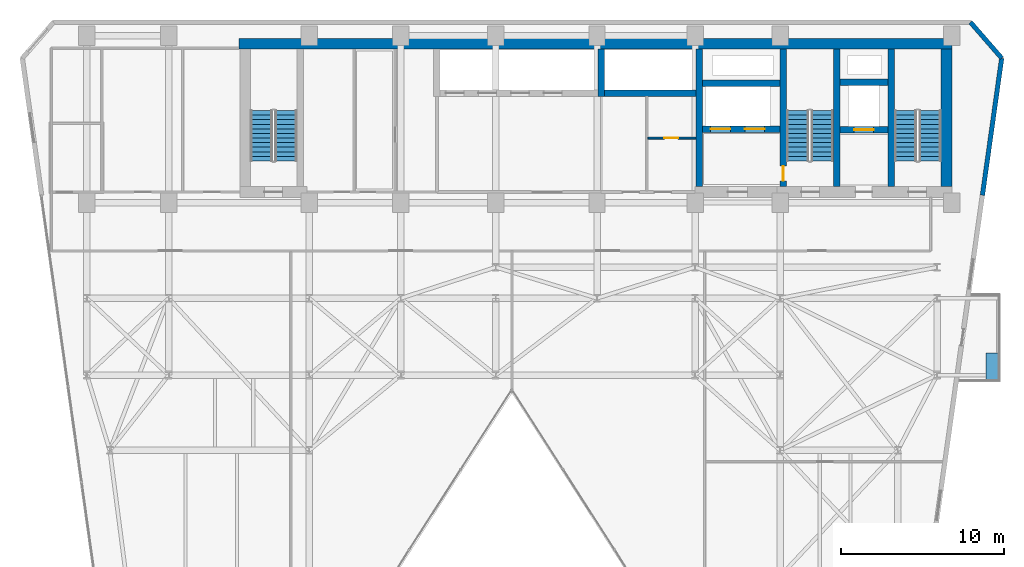
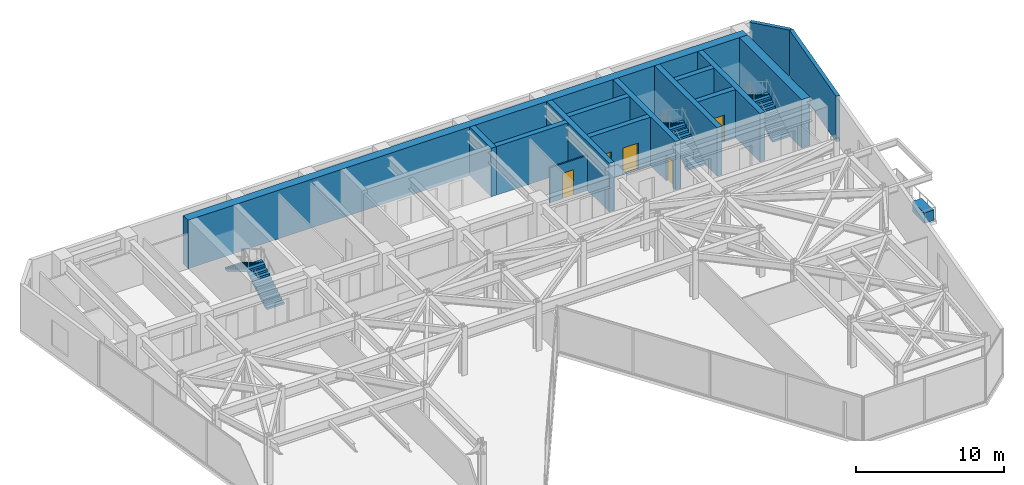
# One storey, part 23 of 26: 15 walls, 6 stair flights, 5 doors, 1 discrete accessory, 5 openings, 3 elements without a shape of their own.
"""IFC4 building model written with IfcOpenShell, lengths in metres."""

from ifc_helpers import new_model, si_unit, direction, frame, frame_2d, origin, origin_2d, place, context, subcontext, project, spatial, polyline, rectangle, outline, extrude, material, layer, layer_set, type_object, element, fill, aggregate, save


model = new_model("IFC4")

# Units and contexts
model_context = context("Model", 3, precision=1e-05, world=origin(), true_north=direction((0.0, 1.0)))
body_context = subcontext(model_context, "Body", "Model", "MODEL_VIEW")
ifc_project = project(units=[si_unit("LENGTHUNIT", "METRE"), si_unit("AREAUNIT", "SQUARE_METRE"), si_unit("VOLUMEUNIT", "CUBIC_METRE"), si_unit("PLANEANGLEUNIT", "RADIAN"), si_unit("MASSUNIT", "GRAM", prefix="KILO")], contexts=[model_context])

# Site, building, storey
site_placement = place(None, origin())
site = spatial("IfcSite", under=ifc_project, at=site_placement, CompositionType="ELEMENT")
building_placement = place(site_placement, origin())
building = spatial("IfcBuilding", under=site, at=building_placement, Name="Kravanh Interchange Tower", CompositionType="ELEMENT")
storey_placement = place(building_placement, frame((0.0, 0.0, 120.0)))
storey = spatial("IfcBuildingStorey", under=building, at=storey_placement, Name="L28", CompositionType="ELEMENT", Elevation=120.0)

# Wall, opening, door
ifc_material_1 = material(Name="Double Acoustic Gypsum Board and Mineral Wool")
ifc_layer_1 = layer(ifc_material_1, 0.1201171875)
ifc_layer_set_1 = layer_set([ifc_layer_1], Name="Acoustic Office Drywall Partition 120mm")
wall_type_1 = type_object("IfcWallType", Name="Acoustic Office Drywall Partition 120mm", PredefinedType="PARTITIONING", material=ifc_layer_set_1)
wall_1_placement = place(storey_placement, frame((47.91796875, 41.300048828125, 0.0), z_axis=(0.0, 0.0, 1.0), x_axis=(1.0, 0.0, 0.0)))
wall_1 = element("IfcWall", 1, at=wall_1_placement, inside=storey, type_object=wall_type_1, Name="L28 Interior Partition 3", PredefinedType="PARTITIONING", context=body_context, shape_type="SweptSolid", body=[
    extrude(rectangle(XDim=2.924072265625, YDim=0.1201171875, at=frame_2d((1.4619140625, 0.0))), origin(), (0.0, 0.0, 1.0), 2.89404296875),
])
opening_1_placement = place(wall_1_placement, frame((0.9912109375, 0.0, 0.0)))
opening_1 = element("IfcOpeningElement", 2, at=opening_1_placement, cuts=wall_1, Name="Opening D-85", PredefinedType="OPENING", context=body_context, shape_type="SweptSolid", body=[
    extrude(rectangle(XDim=0.85009765625, YDim=2.10009765625, at=frame_2d((0.425048828125, 1.050048828125))), frame((0.0, 0.070068359375, 0.0), z_axis=(0.0, -1.0, 0.0), x_axis=(1.0, 0.0, 0.0)), (0.0, 0.0, 1.0), 0.14013671875),
])
ifc_material_2 = material(Name="Engineered Teak Veneer Timber", Category="wood")
door_type_1 = type_object("IfcDoorType", Name="En-Suite Timber Door 850x2100", OperationType="NOTDEFINED", PredefinedType="DOOR", material=ifc_material_2)
door_1_placement = place(opening_1_placement, origin())
door_1 = element("IfcDoor", 3, at=door_1_placement, inside=storey, type_object=door_type_1, Name="L28 Core Supply Inner Door", OperationType="SINGLE_SWING_RIGHT", OverallHeight=2.10009765625, OverallWidth=0.85009765625, PredefinedType="DOOR", context=body_context, shape_type="SweptSolid", body=[
    extrude(rectangle(XDim=0.85009765625, YDim=2.10009765625, at=frame_2d((0.425048828125, 1.050048828125))), frame((0.0, 0.02490234375, 0.0), z_axis=(0.0, -1.0, 0.0), x_axis=(1.0, 0.0, 0.0)), (0.0, 0.0, 1.0), 0.050048828125),
])
fill(opening_1, door_1)

# Walls
ifc_material_3 = material(Name="Concrete C70/85", Category="concrete")
ifc_layer_2 = layer(ifc_material_3, 0.64990234375)
ifc_layer_set_2 = layer_set([ifc_layer_2], Name="Core Shear Wall Concrete C70/85 650mm")
wall_type_2 = type_object("IfcWallType", Name="Core Shear Wall Concrete C70/85 650mm", PredefinedType="SHEAR", material=ifc_layer_set_2)
wall_2_placement = place(storey_placement, frame((22.89990234375, 47.074951171875, 0.0), z_axis=(0.0, 0.0, 1.0), x_axis=(1.0, 0.0, 0.0)))
element("IfcWall", 4, at=wall_2_placement, inside=storey, type_object=wall_type_2, Name="L28 North Core Shear Wall", PredefinedType="SHEAR", context=body_context, shape_type="SweptSolid", body=[
    extrude(rectangle(XDim=43.60009765625, YDim=0.64990234375, at=frame_2d((21.800048828125, 0.0))), origin(), (0.0, 0.0, 1.0), 4.0),
])
wall_3_placement = place(storey_placement, frame((66.175048828125, 38.324951171875, 0.0), z_axis=(0.0, 0.0, 1.0), x_axis=(0.0, 1.0, 0.0)))
element("IfcWall", 5, at=wall_3_placement, inside=storey, type_object=wall_type_2, Name="L28 Stair ST1 East Shear Wall", PredefinedType="SHEAR", context=body_context, shape_type="SweptSolid", body=[
    extrude(rectangle(XDim=8.425048828125, YDim=0.64990234375, at=frame_2d((4.21240234375, 0.0))), origin(), (0.0, 0.0, 1.0), 4.0),
])
ifc_material_4 = material(Name="Concrete C80/95", Category="concrete")
ifc_layer_3 = layer(ifc_material_4, 0.39990234375)
ifc_layer_set_3 = layer_set([ifc_layer_3], Name="Core Shear Wall Concrete C80/95 400mm")
wall_type_3 = type_object("IfcWallType", Name="Core Shear Wall Concrete C80/95 400mm", PredefinedType="SHEAR", material=ifc_layer_set_3)
for number, where, z_axis, x_axis, name in (
    (6, (62.800048828125, 38.324951171875, 0.0), (0.0, 0.0, 1.0), (0.0, 1.0, 0.0), "L28 Stair ST1 West Shear Wall"),
    (7, (59.449951171875, 38.324951171875, 0.0), (0.0, 0.0, 1.0), (0.0, 1.0, 0.0), "L28 Stair ST2 East Shear Wall"),
):
    element("IfcWall", number, at=place(storey_placement, frame(where, z_axis=z_axis, x_axis=x_axis)), inside=storey, type_object=wall_type_3, Name=name, PredefinedType="SHEAR", context=body_context, shape_type="SweptSolid", body=[
        extrude(rectangle(XDim=8.425048828125, YDim=0.39990234375, at=frame_2d((4.21240234375, 0.0))), origin(), (0.0, 0.0, 1.0), 4.0),
    ])

# Wall, opening, door
wall_4_placement = place(storey_placement, frame((56.199951171875, 38.324951171875, 0.0), z_axis=(0.0, 0.0, 1.0), x_axis=(0.0, 1.0, 0.0)))
wall_4 = element("IfcWall", 8, at=wall_4_placement, inside=storey, type_object=wall_type_3, Name="L28 Stair ST2 West Shear Wall", PredefinedType="SHEAR", context=body_context, shape_type="SweptSolid", body=[
    extrude(rectangle(XDim=8.425048828125, YDim=0.39990234375, at=frame_2d((4.21240234375, 0.0))), origin(), (0.0, 0.0, 1.0), 4.0),
])
opening_2_placement = place(wall_4_placement, frame((0.35498046875, 0.0, 0.0)))
opening_2 = element("IfcOpeningElement", 9, at=opening_2_placement, cuts=wall_4, Name="Opening D-STAIR-90", PredefinedType="OPENING", context=body_context, shape_type="SweptSolid", body=[
    extrude(rectangle(XDim=0.89990234375, YDim=2.14990234375, at=frame_2d((0.449951171875, 1.074951171875))), frame((0.0, 0.2099609375, 0.0), z_axis=(0.0, -1.0, 0.0), x_axis=(1.0, 0.0, 0.0)), (0.0, 0.0, 1.0), 0.419921875),
])
ifc_material_5 = material(Name="Structural Steel S355", Category="steel")
door_type_2 = type_object("IfcDoorType", Name="Fire-Rated Stair Lobby Door 900x2150", OperationType="NOTDEFINED", PredefinedType="DOOR", material=ifc_material_5)
door_2_placement = place(opening_2_placement, origin())
door_2 = element("IfcDoor", 10, at=door_2_placement, inside=storey, type_object=door_type_2, Name="L28 Firefighting Lobby to Stair ST2 Door", OperationType="SINGLE_SWING_LEFT", OverallHeight=2.14990234375, OverallWidth=0.89990234375, PredefinedType="DOOR", context=body_context, shape_type="SweptSolid", body=[
    extrude(rectangle(XDim=0.89990234375, YDim=2.14990234375, at=frame_2d((0.449951171875, 1.074951171875))), frame((0.0, 0.02490234375, 0.0), z_axis=(0.0, -1.0, 0.0), x_axis=(1.0, 0.0, 0.0)), (0.0, 0.0, 1.0), 0.050048828125),
])
fill(opening_2, door_2)

wall_5_placement = place(storey_placement, frame((59.64990234375, 41.800048828125, 0.0), z_axis=(0.0, 0.0, 1.0), x_axis=(1.0, 0.0, 0.0)))
wall_5 = element("IfcWall", 11, at=wall_5_placement, inside=storey, type_object=wall_type_3, Name="L28 Service Lift Shaft South Wall", PredefinedType="SHEAR", context=body_context, shape_type="SweptSolid", body=[
    extrude(rectangle(XDim=2.9501953125, YDim=0.39990234375, at=frame_2d((1.47509765625, 0.0))), origin(), (0.0, 0.0, 1.0), 4.0),
])
opening_3_placement = place(wall_5_placement, frame((0.8701171875, 0.0, 0.0)))
opening_3 = element("IfcOpeningElement", 12, at=opening_3_placement, cuts=wall_5, Name="Opening LD02", PredefinedType="OPENING", context=body_context, shape_type="SweptSolid", body=[
    extrude(rectangle(XDim=1.199951171875, YDim=2.199951171875, at=frame_2d((0.60009765625, 1.10009765625))), frame((0.0, 0.2099609375, 0.0), z_axis=(0.0, -1.0, 0.0), x_axis=(1.0, 0.0, 0.0)), (0.0, 0.0, 1.0), 0.419921875),
])
ifc_material_6 = material(Name="Stainless Steel 316", Category="steel")
door_type_3 = type_object("IfcDoorType", Name="Fire and Service Lift Sliding Landing Door 1200x2200", OperationType="DOUBLE_DOOR_SLIDING", PredefinedType="DOOR", material=ifc_material_6)
door_3_placement = place(opening_3_placement, origin())
door_3 = element("IfcDoor", 13, at=door_3_placement, inside=storey, type_object=door_type_3, Name="L28 Lift LS-01 Landing Door", OperationType="DOUBLE_DOOR_SLIDING", OverallHeight=2.199951171875, OverallWidth=1.199951171875, PredefinedType="DOOR", context=body_context, shape_type="SweptSolid", body=[
    extrude(rectangle(XDim=1.199951171875, YDim=2.199951171875, at=frame_2d((0.60009765625, 1.10009765625))), frame((0.0, 0.02490234375, 0.0), z_axis=(0.0, -1.0, 0.0), x_axis=(1.0, 0.0, 0.0)), (0.0, 0.0, 1.0), 0.050048828125),
])
fill(opening_3, door_3)

# Wall
wall_6_placement = place(storey_placement, frame((59.64990234375, 44.699951171875, 0.0), z_axis=(0.0, 0.0, 1.0), x_axis=(1.0, 0.0, 0.0)))
element("IfcWall", 14, at=wall_6_placement, inside=storey, type_object=wall_type_3, Name="L28 Service Lift Shaft North Wall", PredefinedType="SHEAR", context=body_context, shape_type="SweptSolid", body=[
    extrude(rectangle(XDim=2.9501953125, YDim=0.39990234375, at=frame_2d((1.47509765625, 0.0))), origin(), (0.0, 0.0, 1.0), 4.0),
])

# Wall, openings, doors
wall_7_placement = place(storey_placement, frame((51.25, 41.85009765625, 0.0), z_axis=(0.0, 0.0, 1.0), x_axis=(1.0, 0.0, 0.0)))
wall_7 = element("IfcWall", 15, at=wall_7_placement, inside=storey, type_object=wall_type_3, Name="L28 Fire Lift Shaft South Wall", PredefinedType="SHEAR", context=body_context, shape_type="SweptSolid", body=[
    extrude(rectangle(XDim=4.75, YDim=0.39990234375, at=frame_2d((2.375, 0.0))), origin(), (0.0, 0.0, 1.0), 4.0),
])
opening_4_placement = place(wall_7_placement, frame((0.5, 0.0, 0.0)))
opening_4 = element("IfcOpeningElement", 16, at=opening_4_placement, cuts=wall_7, Name="Opening LD02", PredefinedType="OPENING", context=body_context, shape_type="SweptSolid", body=[
    extrude(rectangle(XDim=1.199951171875, YDim=2.199951171875, at=frame_2d((0.60009765625, 1.10009765625))), frame((0.0, 0.2099609375, 0.0), z_axis=(0.0, -1.0, 0.0), x_axis=(1.0, 0.0, 0.0)), (0.0, 0.0, 1.0), 0.419921875),
])
opening_5_placement = place(wall_7_placement, frame((2.60009765625, 0.0, 0.0)))
opening_5 = element("IfcOpeningElement", 17, at=opening_5_placement, cuts=wall_7, Name="Opening LD02", PredefinedType="OPENING", context=body_context, shape_type="SweptSolid", body=[
    extrude(rectangle(XDim=1.199951171875, YDim=2.199951171875, at=frame_2d((0.60009765625, 1.10009765625))), frame((0.0, 0.2099609375, 0.0), z_axis=(0.0, -1.0, 0.0), x_axis=(1.0, 0.0, 0.0)), (0.0, 0.0, 1.0), 0.419921875),
])
door_4_placement = place(opening_4_placement, origin())
door_4 = element("IfcDoor", 18, at=door_4_placement, inside=storey, type_object=door_type_3, Name="L28 Lift FSAE-01 Landing Door", OperationType="DOUBLE_DOOR_SLIDING", OverallHeight=2.199951171875, OverallWidth=1.199951171875, PredefinedType="DOOR", context=body_context, shape_type="SweptSolid", body=[
    extrude(rectangle(XDim=1.199951171875, YDim=2.199951171875, at=frame_2d((0.60009765625, 1.10009765625))), frame((0.0, 0.02490234375, 0.0), z_axis=(0.0, -1.0, 0.0), x_axis=(1.0, 0.0, 0.0)), (0.0, 0.0, 1.0), 0.050048828125),
])
fill(opening_4, door_4)
door_5_placement = place(opening_5_placement, origin())
door_5 = element("IfcDoor", 19, at=door_5_placement, inside=storey, type_object=door_type_3, Name="L28 Lift FSAE-02 Landing Door", OperationType="DOUBLE_DOOR_SLIDING", OverallHeight=2.199951171875, OverallWidth=1.199951171875, PredefinedType="DOOR", context=body_context, shape_type="SweptSolid", body=[
    extrude(rectangle(XDim=1.199951171875, YDim=2.199951171875, at=frame_2d((0.60009765625, 1.10009765625))), frame((0.0, 0.02490234375, 0.0), z_axis=(0.0, -1.0, 0.0), x_axis=(1.0, 0.0, 0.0)), (0.0, 0.0, 1.0), 0.050048828125),
])
fill(opening_5, door_5)

# Walls
wall_8_placement = place(storey_placement, frame((51.25, 44.64990234375, 0.0), z_axis=(0.0, 0.0, 1.0), x_axis=(1.0, 0.0, 0.0)))
element("IfcWall", 20, at=wall_8_placement, inside=storey, type_object=wall_type_3, Name="L28 Fire Lift Shaft North Wall", PredefinedType="SHEAR", context=body_context, shape_type="SweptSolid", body=[
    extrude(rectangle(XDim=4.75, YDim=0.39990234375, at=frame_2d((2.375, 0.0))), origin(), (0.0, 0.0, 1.0), 4.0),
])
wall_9_placement = place(storey_placement, frame((51.050048828125, 38.324951171875, 0.0), z_axis=(0.0, 0.0, 1.0), x_axis=(0.0, 1.0, 0.0)))
element("IfcWall", 21, at=wall_9_placement, inside=storey, type_object=wall_type_3, Name="L28 Firefighting Lobby West Wall", PredefinedType="SHEAR", context=body_context, shape_type="SweptSolid", body=[
    extrude(rectangle(XDim=8.425048828125, YDim=0.39990234375, at=frame_2d((4.21240234375, 0.0))), origin(), (0.0, 0.0, 1.0), 4.0),
])
wall_10_placement = place(storey_placement, frame((45.25, 44.050048828125, 0.0), z_axis=(0.0, 0.0, 1.0), x_axis=(1.0, 0.0, 0.0)))
element("IfcWall", 22, at=wall_10_placement, inside=storey, type_object=wall_type_3, Name="L28 High-Rise Lift Shaft South Wall", PredefinedType="SHEAR", context=body_context, shape_type="SweptSolid", body=[
    extrude(rectangle(XDim=5.60009765625, YDim=0.39990234375, at=frame_2d((2.800048828125, 0.0))), origin(), (0.0, 0.0, 1.0), 4.0),
])
wall_11_placement = place(storey_placement, frame((45.050048828125, 43.85009765625, 0.0), z_axis=(0.0, 0.0, 1.0), x_axis=(0.0, 1.0, 0.0)))
element("IfcWall", 23, at=wall_11_placement, inside=storey, type_object=wall_type_3, Name="L28 High-Rise Lift Shaft West Wall", PredefinedType="SHEAR", context=body_context, shape_type="SweptSolid", body=[
    extrude(rectangle(XDim=2.89990234375, YDim=0.39990234375, at=frame_2d((1.449951171875, 0.0))), origin(), (0.0, 0.0, 1.0), 4.0),
])
ifc_material_7 = material(Name="Insulated Precast Concrete C40/50 with Bronze Cladding", Category="concrete")
ifc_layer_4 = layer(ifc_material_7, 0.280029296875)
ifc_layer_set_4 = layer_set([ifc_layer_4], Name="Exterior Insulated Concrete C40/50 Bronze Spandrel Wall 280mm")
wall_type_4 = type_object("IfcWallType", Name="Exterior Insulated Concrete C40/50 Bronze Spandrel Wall 280mm", PredefinedType="STANDARD", material=ifc_layer_set_4)
wall_12_placement = place(storey_placement, frame((67.645263671875, 48.3798828125, 0.0), z_axis=(0.0, 0.0, 1.0), x_axis=(0.656070644076, -0.754699483226, 0.0)))
element("IfcWall", 24, at=wall_12_placement, inside=storey, type_object=wall_type_4, Name="L28 Exterior Wall 4", PredefinedType="STANDARD", context=body_context, shape_type="SweptSolid", body=[
    extrude(rectangle(XDim=2.908447265625, YDim=0.280029296875, at=frame_2d((1.4541015625, 0.0))), origin(), (0.0, 0.0, 1.0), 3.75),
])
wall_13_placement = place(storey_placement, frame((69.553466796875, 46.184814453125, 0.0), z_axis=(0.0, 0.0, 1.0), x_axis=(-0.139180610108, -0.990267013371, 0.0)))
element("IfcWall", 25, at=wall_13_placement, inside=storey, type_object=wall_type_4, Name="L28 Exterior Wall 5", PredefinedType="STANDARD", context=body_context, shape_type="SweptSolid", body=[
    extrude(rectangle(XDim=8.46728515625, YDim=0.280029296875, at=frame_2d((4.233642578125, 0.0))), origin(), (0.0, 0.0, 1.0), 3.75),
])

# Stair, stair flights
ifc_material_8 = material(Name="Concrete C50/60", Category="concrete")
stair_type = type_object("IfcStairType", Name="Core Fire Exit Dogleg Stair Concrete C50/60", PredefinedType="HALF_TURN_STAIR", material=ifc_material_8)
stair_1_placement = place(storey_placement, origin())
stair_1 = element("IfcStair", 26, at=stair_1_placement, inside=storey, type_object=stair_type, Name="L28 Exit Stair ST1", PredefinedType="HALF_TURN_STAIR")
ifc_material_9 = material(Name="Precast Concrete C50/60", Category="concrete")
ifc_layer_5 = layer(ifc_material_9, 0.199951171875)
ifc_layer_set_5 = layer_set([ifc_layer_5], Name="Precast Concrete C50/60 Stair Flight 1350mm")
stair_flight_type = type_object("IfcStairFlightType", Name="Precast Concrete C50/60 Stair Flight 1350mm", PredefinedType="STRAIGHT", material=ifc_layer_set_5)
stair_flight_1_placement = place(storey_placement, frame((65.175048828125, 39.89990234375, 0.0), z_axis=(0.0, 0.0, 1.0), x_axis=(0.0, 1.0, 0.0)))
stair_flight_1 = element("IfcStairFlight", 27, at=stair_flight_1_placement, type_object=stair_flight_type, Name="ST1 flight 1", NumberOfRisers=12, NumberOfTreads=11, PredefinedType="STRAIGHT", RiserHeight=0.166666667, TreadLength=0.28, context=body_context, shape_type="SweptSolid", body=[
    extrude(outline(polyline([(0.0, 0.0), (0.0, 0.166748046875), (0.280029296875, 0.166748046875), (0.280029296875, 0.333251953125), (0.56005859375, 0.333251953125), (0.56005859375, 0.5), (0.840087890625, 0.5), (0.840087890625, 0.666748046875), (1.1201171875, 0.666748046875), (1.1201171875, 0.833251953125), (1.39990234375, 0.833251953125), (1.39990234375, 1.0), (1.679931640625, 1.0), (1.679931640625, 1.166748046875), (1.9599609375, 1.166748046875), (1.9599609375, 1.333251953125), (2.239990234375, 1.333251953125), (2.239990234375, 1.5), (2.52001953125, 1.5), (2.52001953125, 1.666748046875), (2.800048828125, 1.666748046875), (2.800048828125, 1.833251953125), (3.080078125, 1.833251953125), (3.080078125, 2.0), (3.080078125, 1.658935546875), (0.29296875, 0.0), (0.0, 0.0)])), frame((0.0, 0.675048828125, 0.0), z_axis=(0.0, -1.0, 0.0), x_axis=(1.0, 0.0, 0.0)), (0.0, 0.0, 1.0), 1.35009765625),
])
stair_flight_2_placement = place(storey_placement, frame((63.675048828125, 42.97998046875, 2.0), z_axis=(0.0, 0.0, 1.0), x_axis=(0.0, -1.0, 0.0)))
stair_flight_2 = element("IfcStairFlight", 28, at=stair_flight_2_placement, type_object=stair_flight_type, Name="ST1 flight 2", NumberOfRisers=12, NumberOfTreads=11, PredefinedType="STRAIGHT", RiserHeight=0.166666667, TreadLength=0.28, context=body_context, shape_type="SweptSolid", body=[
    extrude(outline(polyline([(0.0, 0.0), (0.0, 0.166748046875), (0.280029296875, 0.166748046875), (0.280029296875, 0.333251953125), (0.56005859375, 0.333251953125), (0.56005859375, 0.5), (0.840087890625, 0.5), (0.840087890625, 0.666748046875), (1.1201171875, 0.666748046875), (1.1201171875, 0.833251953125), (1.39990234375, 0.833251953125), (1.39990234375, 1.0), (1.679931640625, 1.0), (1.679931640625, 1.166748046875), (1.9599609375, 1.166748046875), (1.9599609375, 1.333251953125), (2.239990234375, 1.333251953125), (2.239990234375, 1.5), (2.52001953125, 1.5), (2.52001953125, 1.666748046875), (2.800048828125, 1.666748046875), (2.800048828125, 1.833251953125), (3.080078125, 1.833251953125), (3.080078125, 2.0), (3.080078125, 1.658935546875), (0.29296875, 0.0), (0.0, 0.0)])), frame((0.0, 0.675048828125, 0.0), z_axis=(0.0, -1.0, 0.0), x_axis=(1.0, 0.0, 0.0)), (0.0, 0.0, 1.0), 1.35009765625),
])
aggregate(stair_1, [stair_flight_1, stair_flight_2])

stair_2_placement = place(storey_placement, origin())
stair_2 = element("IfcStair", 29, at=stair_2_placement, inside=storey, type_object=stair_type, Name="L28 Exit Stair ST2", PredefinedType="HALF_TURN_STAIR")
stair_flight_3_placement = place(storey_placement, frame((58.574951171875, 39.89990234375, 0.0), z_axis=(0.0, 0.0, 1.0), x_axis=(0.0, 1.0, 0.0)))
stair_flight_3 = element("IfcStairFlight", 30, at=stair_flight_3_placement, type_object=stair_flight_type, Name="ST2 flight 1", NumberOfRisers=12, NumberOfTreads=11, PredefinedType="STRAIGHT", RiserHeight=0.166666667, TreadLength=0.28, context=body_context, shape_type="SweptSolid", body=[
    extrude(outline(polyline([(0.0, 0.0), (0.0, 0.166748046875), (0.280029296875, 0.166748046875), (0.280029296875, 0.333251953125), (0.56005859375, 0.333251953125), (0.56005859375, 0.5), (0.840087890625, 0.5), (0.840087890625, 0.666748046875), (1.1201171875, 0.666748046875), (1.1201171875, 0.833251953125), (1.39990234375, 0.833251953125), (1.39990234375, 1.0), (1.679931640625, 1.0), (1.679931640625, 1.166748046875), (1.9599609375, 1.166748046875), (1.9599609375, 1.333251953125), (2.239990234375, 1.333251953125), (2.239990234375, 1.5), (2.52001953125, 1.5), (2.52001953125, 1.666748046875), (2.800048828125, 1.666748046875), (2.800048828125, 1.833251953125), (3.080078125, 1.833251953125), (3.080078125, 2.0), (3.080078125, 1.658935546875), (0.29296875, 0.0), (0.0, 0.0)])), frame((0.0, 0.675048828125, 0.0), z_axis=(0.0, -1.0, 0.0), x_axis=(1.0, 0.0, 0.0)), (0.0, 0.0, 1.0), 1.35009765625),
])
stair_flight_4_placement = place(storey_placement, frame((57.074951171875, 42.97998046875, 2.0), z_axis=(0.0, 0.0, 1.0), x_axis=(0.0, -1.0, 0.0)))
stair_flight_4 = element("IfcStairFlight", 31, at=stair_flight_4_placement, type_object=stair_flight_type, Name="ST2 flight 2", NumberOfRisers=12, NumberOfTreads=11, PredefinedType="STRAIGHT", RiserHeight=0.166666667, TreadLength=0.28, context=body_context, shape_type="SweptSolid", body=[
    extrude(outline(polyline([(0.0, 0.0), (0.0, 0.166748046875), (0.280029296875, 0.166748046875), (0.280029296875, 0.333251953125), (0.56005859375, 0.333251953125), (0.56005859375, 0.5), (0.840087890625, 0.5), (0.840087890625, 0.666748046875), (1.1201171875, 0.666748046875), (1.1201171875, 0.833251953125), (1.39990234375, 0.833251953125), (1.39990234375, 1.0), (1.679931640625, 1.0), (1.679931640625, 1.166748046875), (1.9599609375, 1.166748046875), (1.9599609375, 1.333251953125), (2.239990234375, 1.333251953125), (2.239990234375, 1.5), (2.52001953125, 1.5), (2.52001953125, 1.666748046875), (2.800048828125, 1.666748046875), (2.800048828125, 1.833251953125), (3.080078125, 1.833251953125), (3.080078125, 2.0), (3.080078125, 1.658935546875), (0.29296875, 0.0), (0.0, 0.0)])), frame((0.0, 0.675048828125, 0.0), z_axis=(0.0, -1.0, 0.0), x_axis=(1.0, 0.0, 0.0)), (0.0, 0.0, 1.0), 1.35009765625),
])
aggregate(stair_2, [stair_flight_3, stair_flight_4])

stair_3_placement = place(storey_placement, origin())
stair_3 = element("IfcStair", 32, at=stair_3_placement, inside=storey, type_object=stair_type, Name="L28 Exit Stair ST3", PredefinedType="HALF_TURN_STAIR")
stair_flight_5_placement = place(storey_placement, frame((25.77490234375, 39.89990234375, 0.0), z_axis=(0.0, 0.0, 1.0), x_axis=(0.0, 1.0, 0.0)))
stair_flight_5 = element("IfcStairFlight", 33, at=stair_flight_5_placement, type_object=stair_flight_type, Name="ST3 flight 1", NumberOfRisers=12, NumberOfTreads=11, PredefinedType="STRAIGHT", RiserHeight=0.166666667, TreadLength=0.28, context=body_context, shape_type="SweptSolid", body=[
    extrude(outline(polyline([(0.0, 0.0), (0.0, 0.166748046875), (0.280029296875, 0.166748046875), (0.280029296875, 0.333251953125), (0.56005859375, 0.333251953125), (0.56005859375, 0.5), (0.840087890625, 0.5), (0.840087890625, 0.666748046875), (1.1201171875, 0.666748046875), (1.1201171875, 0.833251953125), (1.39990234375, 0.833251953125), (1.39990234375, 1.0), (1.679931640625, 1.0), (1.679931640625, 1.166748046875), (1.9599609375, 1.166748046875), (1.9599609375, 1.333251953125), (2.239990234375, 1.333251953125), (2.239990234375, 1.5), (2.52001953125, 1.5), (2.52001953125, 1.666748046875), (2.800048828125, 1.666748046875), (2.800048828125, 1.833251953125), (3.080078125, 1.833251953125), (3.080078125, 2.0), (3.080078125, 1.658935546875), (0.29296875, 0.0), (0.0, 0.0)])), frame((0.0, 0.675048828125, 0.0), z_axis=(0.0, -1.0, 0.0), x_axis=(1.0, 0.0, 0.0)), (0.0, 0.0, 1.0), 1.35009765625),
])
stair_flight_6_placement = place(storey_placement, frame((24.27490234375, 42.97998046875, 2.0), z_axis=(0.0, 0.0, 1.0), x_axis=(0.0, -1.0, 0.0)))
stair_flight_6 = element("IfcStairFlight", 34, at=stair_flight_6_placement, type_object=stair_flight_type, Name="ST3 flight 2", NumberOfRisers=12, NumberOfTreads=11, PredefinedType="STRAIGHT", RiserHeight=0.166666667, TreadLength=0.28, context=body_context, shape_type="SweptSolid", body=[
    extrude(outline(polyline([(0.0, 0.0), (0.0, 0.166748046875), (0.280029296875, 0.166748046875), (0.280029296875, 0.333251953125), (0.56005859375, 0.333251953125), (0.56005859375, 0.5), (0.840087890625, 0.5), (0.840087890625, 0.666748046875), (1.1201171875, 0.666748046875), (1.1201171875, 0.833251953125), (1.39990234375, 0.833251953125), (1.39990234375, 1.0), (1.679931640625, 1.0), (1.679931640625, 1.166748046875), (1.9599609375, 1.166748046875), (1.9599609375, 1.333251953125), (2.239990234375, 1.333251953125), (2.239990234375, 1.5), (2.52001953125, 1.5), (2.52001953125, 1.666748046875), (2.800048828125, 1.666748046875), (2.800048828125, 1.833251953125), (3.080078125, 1.833251953125), (3.080078125, 2.0), (3.080078125, 1.658935546875), (0.29296875, 0.0), (0.0, 0.0)])), frame((0.0, 0.675048828125, 0.0), z_axis=(0.0, -1.0, 0.0), x_axis=(1.0, 0.0, 0.0)), (0.0, 0.0, 1.0), 1.35009765625),
])
aggregate(stair_3, [stair_flight_5, stair_flight_6])

# Discrete accessory
ifc_material_10 = material(Name="Architectural GRC Concrete C40/50 with Root Barrier", Category="concrete")
discrete_accessory_type = type_object("IfcDiscreteAccessoryType", Name="Structural Balcony Tree Planter Box Concrete C40/50 1600x750x850", PredefinedType="USERDEFINED", material=ifc_material_10)
discrete_accessory_placement = place(storey_placement, frame((68.969970703125, 27.340087890625, 0.0), z_axis=(0.0, 0.0, 1.0), x_axis=(1.0, 0.0, 0.0)))
element("IfcDiscreteAccessory", 35, at=discrete_accessory_placement, inside=storey, type_object=discrete_accessory_type, Name="L28 E Balcony TREE PLANTER", ObjectType="PLANTER", PredefinedType="USERDEFINED", context=body_context, shape_type="SweptSolid", body=[
    extrude(rectangle(XDim=0.75, YDim=1.60009765625, at=origin_2d()), origin(), (0.0, 0.0, 1.0), 0.85009765625),
])

save(model, "model.ifc")
